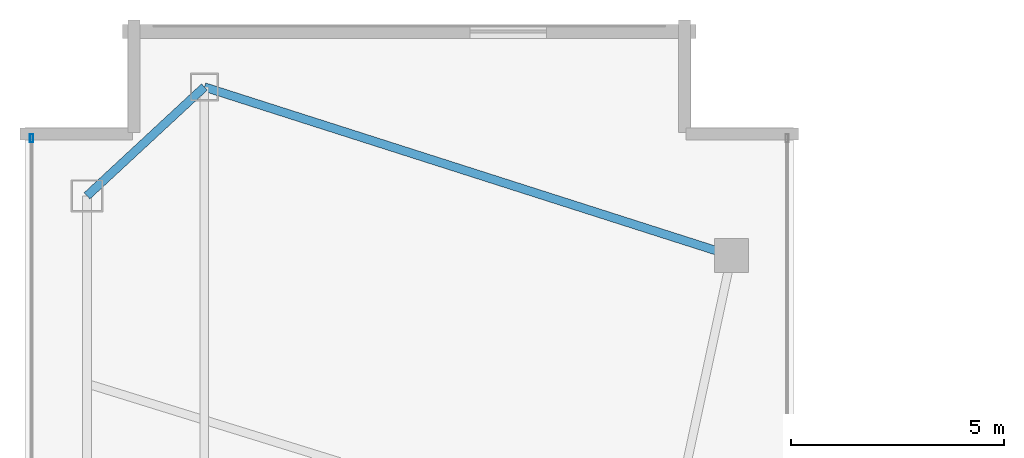
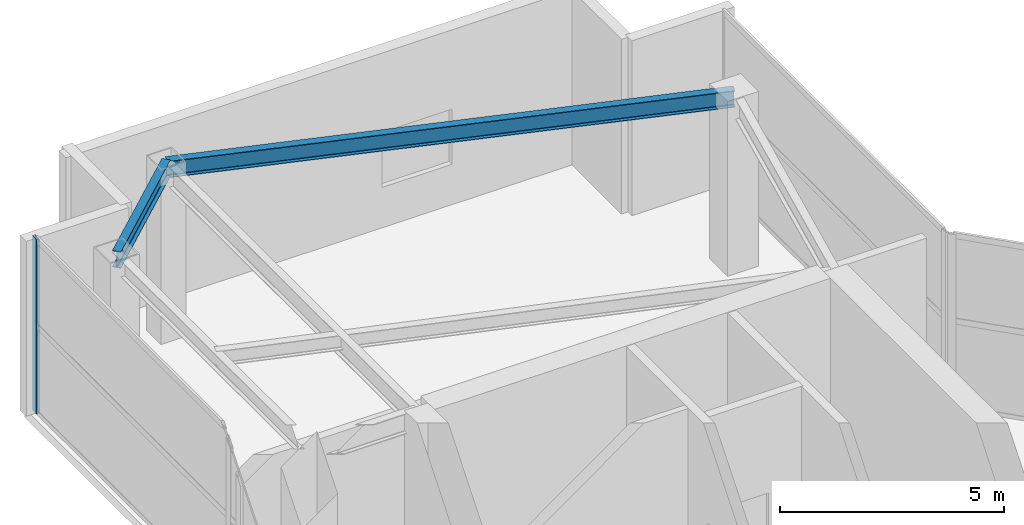
# One storey, part 16 of 22: 2 beams, 1 member, 1 element without a shape of its own.
"""IFC4 building model written with IfcOpenShell, lengths in metres."""

from ifc_helpers import new_model, si_unit, direction, frame, origin, origin_2d, place, context, subcontext, project, spatial, hollow_rectangle, i_section, extrude, material, layer, layer_set, material_profile, profile_set, type_object, element, aggregate, save


model = new_model("IFC4")

# Units and contexts
model_context = context("Model", 3, precision=1e-05, world=origin(), true_north=direction((0.0, 1.0)))
body_context = subcontext(model_context, "Body", "Model", "MODEL_VIEW")
ifc_project = project(units=[si_unit("LENGTHUNIT", "METRE"), si_unit("AREAUNIT", "SQUARE_METRE"), si_unit("VOLUMEUNIT", "CUBIC_METRE"), si_unit("PLANEANGLEUNIT", "RADIAN"), si_unit("MASSUNIT", "GRAM", prefix="KILO")], contexts=[model_context])

# Site, building, storey
site_placement = place(None, origin())
site = spatial("IfcSite", under=ifc_project, at=site_placement, CompositionType="ELEMENT")
building_placement = place(site_placement, origin())
building = spatial("IfcBuilding", under=site, at=building_placement, Name="Calvorn Quay Hotel", CompositionType="ELEMENT")
storey_placement = place(building_placement, frame((0.0, 0.0, 325.5)))
storey = spatial("IfcBuildingStorey", under=building, at=storey_placement, Name="L80", CompositionType="ELEMENT", Elevation=325.5)

# Beams
ifc_material_1 = material(Name="Steel Q355B", Category="steel")
ifc_material_profile_1 = material_profile(ifc_material_1, i_section(OverallWidth=0.199951171875, OverallDepth=0.449951171875, WebThickness=0.009033203125, FlangeThickness=0.013916015625, FilletRadius=0.01611328125, at=origin_2d()), Name="HN450x200x9x14")
ifc_profile_set_1 = profile_set([ifc_material_profile_1], Name="Steel Q355B")
beam_type = type_object("IfcBeamType", Name="BM-SPANDREL-Z3", PredefinedType="SPANDREL", material=ifc_profile_set_1)
beam_1_placement = place(storey_placement, frame((1.449951171875, 47.0, 4.514892578125), z_axis=(0.733261665538, 0.679946563969, 0.0), x_axis=(-0.679946563969, 0.733261665538, 0.0)))
element("IfcBeam", 1, at=beam_1_placement, inside=storey, type_object=beam_type, Name="Beam BSP-L80-W5", PredefinedType="SPANDREL", context=body_context, shape_type="SweptSolid", body=[
    extrude(i_section(OverallWidth=0.199951171875, OverallDepth=0.449951171875, WebThickness=0.009033203125, FlangeThickness=0.013916015625, FilletRadius=0.01611328125, at=origin_2d()), origin(), (0.0, 0.0, 1.0), 3.75048828125),
])
beam_2_placement = place(storey_placement, frame((4.199951171875, 49.550048828125, 4.514892578125), z_axis=(0.952470702374, -0.304630203885, 0.0), x_axis=(0.304630203885, 0.952470702374, 0.0)))
element("IfcBeam", 2, at=beam_2_placement, inside=storey, type_object=beam_type, Name="Beam BSP-L80-W6", PredefinedType="SPANDREL", context=body_context, shape_type="SweptSolid", body=[
    extrude(i_section(OverallWidth=0.199951171875, OverallDepth=0.449951171875, WebThickness=0.009033203125, FlangeThickness=0.013916015625, FilletRadius=0.01611328125, at=origin_2d()), origin(), (0.0, 0.0, 1.0), 12.96630859375),
])

# Curtain wall, member
ifc_material_2 = material(Name="Pale Anodised Aluminium and Laminated Glass", Category="aluminium")
ifc_layer = layer(ifc_material_2, 0.219970703125)
ifc_layer_set = layer_set([ifc_layer], Name="CW-SYS-CRN")
curtain_wall_type = type_object("IfcCurtainWallType", Name="CW-SYS-CRN", PredefinedType="NOTDEFINED", material=ifc_layer_set)
curtain_wall_placement = place(storey_placement, origin())
curtain_wall = element("IfcCurtainWall", 3, at=curtain_wall_placement, inside=storey, type_object=curtain_wall_type, Name="Crown Curtain Wall L80-C5", PredefinedType="NOTDEFINED")
ifc_material_3 = material(Name="Pale Anodised Aluminium 6063-T6", Category="aluminium")
ifc_material_profile_2 = material_profile(ifc_material_3, hollow_rectangle(XDim=0.072021484375, YDim=0.195068359375, WallThickness=0.00390625, at=origin_2d()), Name="ALU-M195x72x4")
ifc_profile_set_2 = profile_set([ifc_material_profile_2], Name="Pale Anodised Aluminium 6063-T6")
member_type = type_object("IfcMemberType", Name="CW-SYS-CRN-MUL", PredefinedType="MULLION", material=ifc_profile_set_2)
member_placement = place(storey_placement, frame((0.14990234375, 48.35009765625, 0.0), z_axis=(0.0, 0.0, 1.0), x_axis=(1.0, 0.0, 0.0)))
member = element("IfcMember", 4, at=member_placement, type_object=member_type, Name="CW-L80-C5 mullion 1", PredefinedType="MULLION", context=body_context, shape_type="SweptSolid", body=[
    extrude(hollow_rectangle(XDim=0.072021484375, YDim=0.195068359375, WallThickness=0.00390625, at=origin_2d()), origin(), (0.0, 0.0, 1.0), 4.760009765625),
])
aggregate(curtain_wall, [member])

save(model, "model.ifc")
